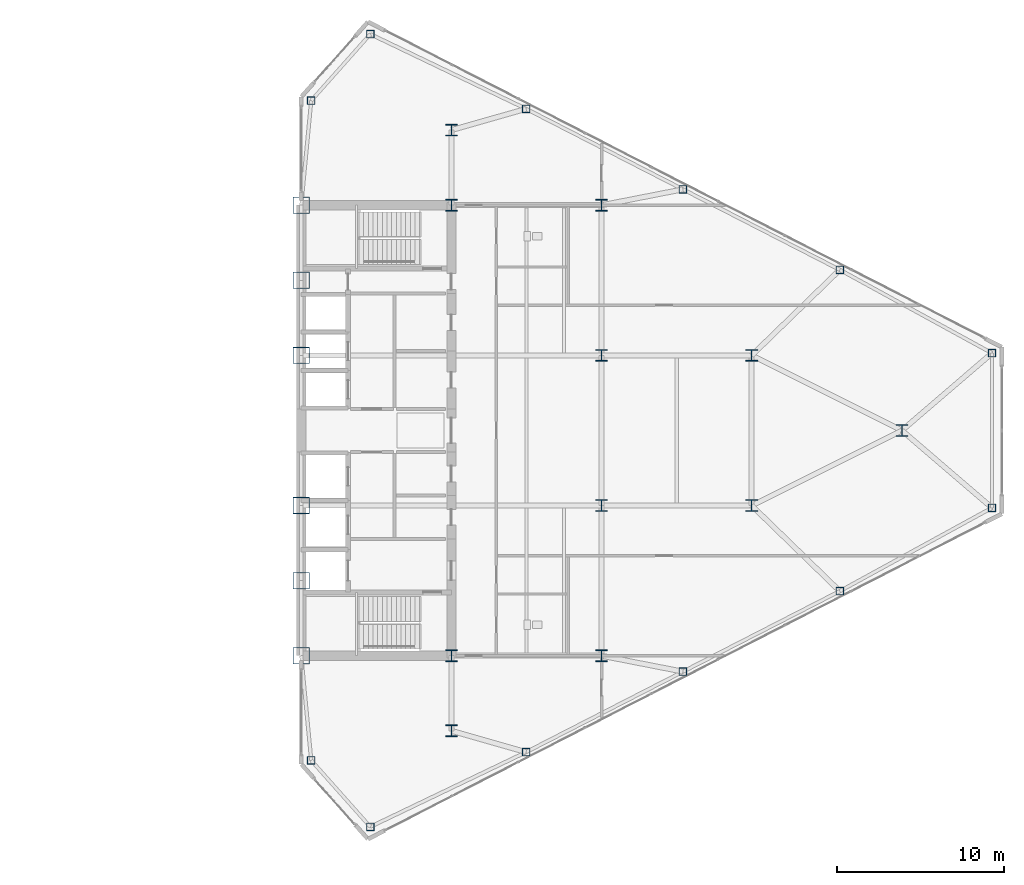
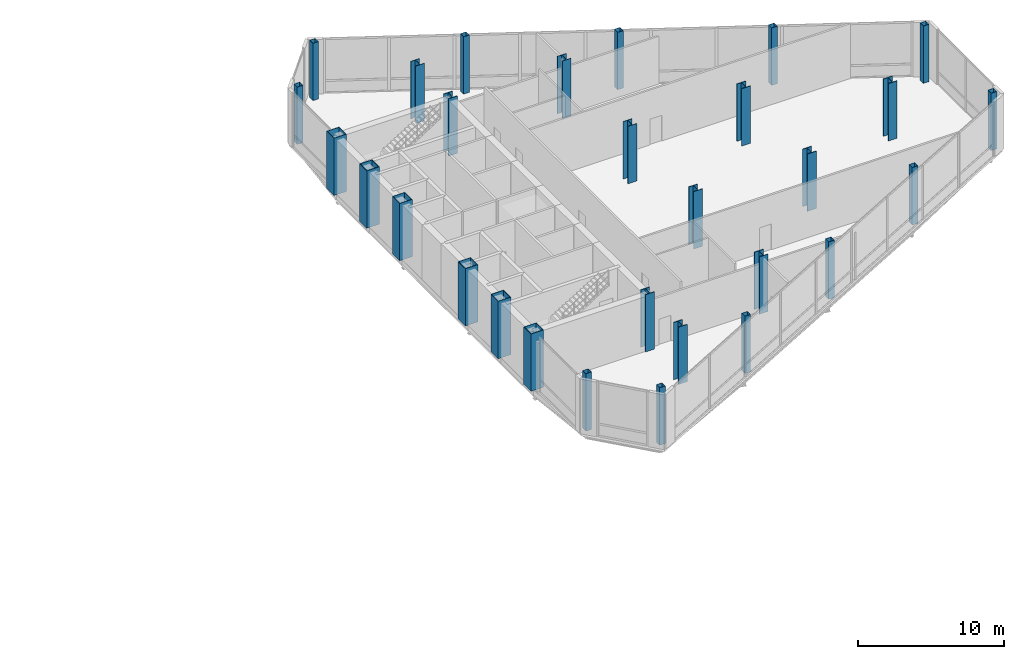
# One storey, part 2 of 22: 29 columns.
"""IFC4 building model written with IfcOpenShell, lengths in metres."""

import ifcopenshell
import ifcopenshell.guid

model = None  # the IFC model being written
_history = None  # IfcOwnerHistory: only IFC2X3 demands one
_inside = {}  # id of a spatial element -> (the spatial element, [elements in it])
_under = {}  # id of a project, library or spatial element -> (it, [spatial elements below it])
_declared = {}  # id of a project -> (the project, [libraries it declares])
_typed = {}  # id of a type object -> (the type object, [elements of that type])
_made_of = {}  # id of a material, layer set ... -> (it, [elements and type objects made of it])


def new_model(schema):
    """Start an empty IFC model of exactly this schema.

    Asked for "IFC4X3", IfcOpenShell would pick the latest addendum, in which some entities
    have other attributes; the version numbers below select the first issue.
    IFC2X3 requires an IfcOwnerHistory on every rooted entity: one is made here for all.
    """
    global model, _history
    if schema == "IFC4X3":
        model = ifcopenshell.file(schema_version=(4, 3, 0, 0))
    else:
        model = ifcopenshell.file(schema=schema)
    _inside.clear()
    _under.clear()
    _declared.clear()
    _typed.clear()
    _made_of.clear()
    _history = None
    if model.schema == "IFC2X3":
        org = make("IfcOrganization", Name="unknown")
        user = make(
            "IfcPersonAndOrganization",
            ThePerson=make("IfcPerson", FamilyName="unknown"),
            TheOrganization=org,
        )
        app = make(
            "IfcApplication",
            ApplicationDeveloper=org,
            Version="unknown",
            ApplicationFullName="unknown",
            ApplicationIdentifier="unknown",
        )
        _history = make(
            "IfcOwnerHistory",
            OwningUser=user,
            OwningApplication=app,
            ChangeAction="ADDED",
            CreationDate=0,
        )
    return model


def make(cls, **values):
    """One entity of the class cls with the attributes given. An attribute that is None is left unset."""
    return model.create_entity(
        cls, **{name: value for name, value in values.items() if value is not None}
    )


def rooted(cls, **values):
    """An entity with a GlobalId (a new one), such as an element, a storey or a relation."""
    return make(cls, GlobalId=ifcopenshell.guid.new(), OwnerHistory=_history, **values)


def si_unit(unit_type, name, prefix=None):
    """IfcSIUnit, for example si_unit("LENGTHUNIT", "METRE", prefix="MILLI")."""
    return make("IfcSIUnit", UnitType=unit_type, Prefix=prefix, Name=name)


def assignment(units):
    """IfcUnitAssignment: the units of a project."""
    return None if units is None else make("IfcUnitAssignment", Units=units)


def point(xyz):
    """IfcCartesianPoint."""
    return None if xyz is None else make("IfcCartesianPoint", Coordinates=xyz)


def direction(xyz):
    """IfcDirection."""
    return None if xyz is None else make("IfcDirection", DirectionRatios=xyz)


def frame(location, z_axis=None, x_axis=None):
    """IfcAxis2Placement3D, a coordinate frame: its origin and axes. An axis left out is left unset."""
    return make(
        "IfcAxis2Placement3D",
        Location=point(location),
        Axis=direction(z_axis),
        RefDirection=direction(x_axis),
    )


def frame_2d(location, x_axis=None):
    """IfcAxis2Placement2D, a coordinate frame in the plane: its origin and x axis."""
    return make(
        "IfcAxis2Placement2D", Location=point(location), RefDirection=direction(x_axis)
    )


def origin():
    """The frame at (0, 0, 0) with its axes left unset."""
    return frame((0.0, 0.0, 0.0))


def origin_2d():
    """The frame at (0, 0) in the plane with its x axis left unset."""
    return frame_2d((0.0, 0.0))


def place(relative_to, where):
    """IfcLocalPlacement: puts the frame where relative to a parent placement (None: the world)."""
    return make(
        "IfcLocalPlacement", PlacementRelTo=relative_to, RelativePlacement=where
    )


def context(
    kind, dimensions, precision=None, world=None, true_north=None, identifier=None
):
    """IfcGeometricRepresentationContext, for example the 3D "Model" context."""
    return make(
        "IfcGeometricRepresentationContext",
        ContextIdentifier=identifier,
        ContextType=kind,
        CoordinateSpaceDimension=dimensions,
        Precision=precision,
        WorldCoordinateSystem=world,
        TrueNorth=true_north,
    )


def subcontext(parent, identifier, kind, view, scale=None):
    """IfcGeometricRepresentationSubContext, for example "Body" below "Model"."""
    return make(
        "IfcGeometricRepresentationSubContext",
        ContextIdentifier=identifier,
        ContextType=kind,
        ParentContext=parent,
        TargetScale=scale,
        TargetView=view,
    )


def project(units=None, contexts=None):
    """IfcProject with its units and contexts."""
    return rooted(
        "IfcProject",
        Name="project",
        RepresentationContexts=contexts,
        UnitsInContext=assignment(units),
    )


def spatial(cls, under=None, at=None, **own):
    """A site, building, storey or space (cls), placed at a placement, below another one or the project."""
    s = rooted(cls, ObjectPlacement=at, **own)
    if under is not None:
        _under.setdefault(under.id(), (under, []))[1].append(s)
    return s


def profile(cls, at=None, kind="AREA", **sizes):
    """A parametric profile (cls). Its sizes go by their IFC names, for example OverallWidth=200.0."""
    return make(cls, ProfileType=kind, Position=at, **sizes)


def hollow_rectangle(**sizes):
    """IfcRectangleHollowProfileDef."""
    return profile("IfcRectangleHollowProfileDef", **sizes)


def i_section(**sizes):
    """IfcIShapeProfileDef."""
    return profile("IfcIShapeProfileDef", **sizes)


def extrude(swept, where, along, depth):
    """IfcExtrudedAreaSolid: the profile swept, set in the frame where, extruded along a direction by depth."""
    return make(
        "IfcExtrudedAreaSolid",
        SweptArea=swept,
        Position=where,
        ExtrudedDirection=direction(along),
        Depth=depth,
    )


def shape(context_of_items, identifier, shape_type, items):
    """IfcShapeRepresentation: the items that make up one representation, for example the "Body"."""
    return make(
        "IfcShapeRepresentation",
        ContextOfItems=context_of_items,
        RepresentationIdentifier=identifier,
        RepresentationType=shape_type,
        Items=items,
    )


def source(mapping_origin, context_of_items, identifier, shape_type, items):
    """IfcRepresentationMap: a shape defined once, which mapped items show again and again."""
    return make(
        "IfcRepresentationMap",
        MappingOrigin=mapping_origin,
        MappedRepresentation=shape(context_of_items, identifier, shape_type, items),
    )


def transform(
    local_origin,
    x_axis=None,
    y_axis=None,
    z_axis=None,
    scale=None,
    scale2=None,
    scale3=None,
    uniform=True,
):
    """IfcCartesianTransformationOperator3D, or its non-uniform kind. x_axis, y_axis, z_axis: its Axis1, 2, 3."""
    if uniform:
        return make(
            "IfcCartesianTransformationOperator3D",
            Axis1=direction(x_axis),
            Axis2=direction(y_axis),
            LocalOrigin=point(local_origin),
            Scale=scale,
            Axis3=direction(z_axis),
        )
    return make(
        "IfcCartesianTransformationOperator3DnonUniform",
        Axis1=direction(x_axis),
        Axis2=direction(y_axis),
        LocalOrigin=point(local_origin),
        Scale=scale,
        Axis3=direction(z_axis),
        Scale2=scale2,
        Scale3=scale3,
    )


def mapped(mapping_source, mapping_target):
    """IfcMappedItem: shows the shape of a source again, moved by a transform."""
    return make(
        "IfcMappedItem", MappingSource=mapping_source, MappingTarget=mapping_target
    )


def material(Name=None, Category=None):
    """IfcMaterial."""
    return make("IfcMaterial", Name=Name, Category=Category)


def material_profile(
    of_material, cross_section, Name=None, Category=None, Priority=None
):
    """IfcMaterialProfile: a cross section and its material."""
    return make(
        "IfcMaterialProfile",
        Name=Name,
        Material=of_material,
        Profile=cross_section,
        Priority=Priority,
        Category=Category,
    )


def profile_set(profiles, Name=None, composite=None):
    """IfcMaterialProfileSet."""
    return make(
        "IfcMaterialProfileSet",
        Name=Name,
        MaterialProfiles=profiles,
        CompositeProfile=composite,
    )


def made_of(thing, what):
    """Note that an element or type object is made of a material, layer set ...; save() writes the relation."""
    if what is not None:
        _made_of.setdefault(what.id(), (what, []))[1].append(thing)
    return thing


def type_object(cls, material=None, **own):
    """A type object (cls), such as IfcWallType, which elements share."""
    return made_of(rooted(cls, **own), material)


def type_shapes(of_type, sources):
    """Give a type object the sources (RepresentationMaps) that its elements show as mapped items."""
    of_type.RepresentationMaps = sources


def element(
    cls,
    number,
    at=None,
    inside=None,
    cuts=None,
    type_object=None,
    material=None,
    context=None,
    identifier="Body",
    shape_type=None,
    held_by="IfcProductDefinitionShape",
    body=None,
    shapes=None,
    **own,
):
    """One element of the class cls, such as IfcWall. Its Tag is "e" and its number.

    at: its placement. inside: the storey or other place that contains it. cuts: it is an
    opening in that element (IfcRelVoidsElement). A single representation is given by context,
    identifier, shape_type and body (its items); several are given by shapes. held_by: the class
    of the entity that holds the representations. save() writes the other relations.
    """
    e = rooted(cls, Tag="e%d" % number, ObjectPlacement=at, **own)
    if body is not None:
        shapes = [shape(context, identifier, shape_type, body)]
    if shapes is not None:
        e.Representation = make(held_by, Representations=shapes)
    if inside is not None:
        _inside.setdefault(inside.id(), (inside, []))[1].append(e)
    if cuts is not None:
        rooted(
            "IfcRelVoidsElement", RelatingBuildingElement=cuts, RelatedOpeningElement=e
        )
    if type_object is not None:
        _typed.setdefault(type_object.id(), (type_object, []))[1].append(e)
    return made_of(e, material)


def aggregate(whole, parts):
    """IfcRelAggregates: a whole, such as a stair, and the parts it consists of."""
    return rooted("IfcRelAggregates", RelatingObject=whole, RelatedObjects=parts)


def save(model, path):
    """Write the relations noted so far, then the file.

    IfcRelAggregates (storeys below a building ...), IfcRelContainedInSpatialStructure (elements
    in a storey), IfcRelDefinesByType, IfcRelAssociatesMaterial and IfcRelDeclares: one each for
    every whole, place, type object, material and project.
    """
    for whole, parts in _under.values():
        aggregate(whole, parts)
    for where, things in _inside.values():
        rooted(
            "IfcRelContainedInSpatialStructure",
            RelatedElements=things,
            RelatingStructure=where,
        )
    for kind, things in _typed.values():
        rooted("IfcRelDefinesByType", RelatedObjects=things, RelatingType=kind)
    for what, things in _made_of.values():
        rooted("IfcRelAssociatesMaterial", RelatedObjects=things, RelatingMaterial=what)
    for by, libraries in _declared.values():
        rooted("IfcRelDeclares", RelatingContext=by, RelatedDefinitions=libraries)
    model.write(path)


model = new_model("IFC4")

# Units and contexts
model_context = context("Model", 3, precision=1e-05, world=origin(), true_north=direction((0.0, 1.0)))
body_context = subcontext(model_context, "Body", "Model", "MODEL_VIEW")
ifc_project = project(units=[si_unit("LENGTHUNIT", "METRE"), si_unit("AREAUNIT", "SQUARE_METRE"), si_unit("VOLUMEUNIT", "CUBIC_METRE"), si_unit("PLANEANGLEUNIT", "RADIAN"), si_unit("MASSUNIT", "GRAM", prefix="KILO")], contexts=[model_context])

# Site, building, storey
site_placement = place(None, origin())
site = spatial("IfcSite", under=ifc_project, at=site_placement, CompositionType="ELEMENT")
building_placement = place(site_placement, origin())
building = spatial("IfcBuilding", under=site, at=building_placement, Name="Seokmaru Belvedere", CompositionType="ELEMENT")
storey_placement = place(building_placement, frame((0.0, 0.0, 135.60009765625)))
storey = spatial("IfcBuildingStorey", under=building, at=storey_placement, Name="L36", CompositionType="ELEMENT", Elevation=135.60009765625)

# Columns
ifc_material_1 = material(Name="Steel HSA650 (650 MPa)", Category="steel")
ifc_material_profile_1 = material_profile(ifc_material_1, hollow_rectangle(XDim=1.0, YDim=1.0, WallThickness=0.0419921875, at=origin_2d()), Name="BOX-1000x1000x42")
ifc_profile_set_1 = profile_set([ifc_material_profile_1], Name="Steel HSA650 (650 MPa)")
column_type_1 = type_object("IfcColumnType", Name="Portal Spine Column BOX-1000", PredefinedType="COLUMN", material=ifc_profile_set_1)
shared_shape_1 = source(origin(), body_context, "Body", "SweptSolid", [
    extrude(hollow_rectangle(XDim=1.0, YDim=1.0, WallThickness=0.0419921875, at=origin_2d()), origin(), (0.0, 0.0, 1.0), 4.7998046875),
])
type_shapes(column_type_1, [shared_shape_1])
for number, where, z_axis, x_axis, name in (
    (1, (27.5, -13.5, 0.0), (0.0, 0.0, 1.0), (1.0, 0.0, 0.0), "L36 Column ES1"),
    (2, (27.5, -9.0, 0.0), (0.0, 0.0, 1.0), (1.0, 0.0, 0.0), "L36 Column ES2"),
    (3, (27.5, -4.5, 0.0), (0.0, 0.0, 1.0), (1.0, 0.0, 0.0), "L36 Column ES3"),
    (4, (27.5, 4.5, 0.0), (0.0, 0.0, 1.0), (1.0, 0.0, 0.0), "L36 Column ES4"),
    (5, (27.5, 9.0, 0.0), (0.0, 0.0, 1.0), (1.0, 0.0, 0.0), "L36 Column ES5"),
    (6, (27.5, 13.5, 0.0), (0.0, 0.0, 1.0), (1.0, 0.0, 0.0), "L36 Column ES6"),
):
    element("IfcColumn", number, at=place(storey_placement, frame(where, z_axis=z_axis, x_axis=x_axis)), inside=storey, type_object=column_type_1, Name=name, PredefinedType="COLUMN", context=body_context, shape_type="MappedRepresentation", body=[
        mapped(shared_shape_1, transform((0.0, 0.0, 0.0), scale=1.0)),
    ])
ifc_material_2 = material(Name="Steel SM355 (355 MPa)", Category="steel")
ifc_material_profile_2 = material_profile(ifc_material_2, i_section(OverallWidth=0.699951171875, OverallDepth=0.699951171875, WebThickness=0.028076171875, FlangeThickness=0.044921875, at=origin_2d()), Name="H-700x700x28x45")
ifc_profile_set_2 = profile_set([ifc_material_profile_2], Name="Steel SM355 (355 MPa)")
column_type_2 = type_object("IfcColumnType", Name="Mid Interior Column H-700", PredefinedType="COLUMN", material=ifc_profile_set_2)
shared_shape_2 = source(origin(), body_context, "Body", "SweptSolid", [
    extrude(i_section(OverallWidth=0.699951171875, OverallDepth=0.699951171875, WebThickness=0.028076171875, FlangeThickness=0.044921875, at=origin_2d()), origin(), (0.0, 0.0, 1.0), 4.7998046875),
])
type_shapes(column_type_2, [shared_shape_2])
for number, where, z_axis, x_axis, name in (
    (7, (36.5, -18.0, 0.0), (0.0, 0.0, 1.0), (1.0, 0.0, 0.0), "L36 Column EC1"),
    (8, (36.5, -13.5, 0.0), (0.0, 0.0, 1.0), (1.0, 0.0, 0.0), "L36 Column EC2"),
    (9, (36.5, 13.5, 0.0), (0.0, 0.0, 1.0), (1.0, 0.0, 0.0), "L36 Column EC3"),
    (10, (36.5, 18.0, 0.0), (0.0, 0.0, 1.0), (1.0, 0.0, 0.0), "L36 Column EC4"),
    (11, (45.5, -13.5, 0.0), (0.0, 0.0, 1.0), (1.0, 0.0, 0.0), "L36 Column EG5_1"),
    (12, (45.5, -4.5, 0.0), (0.0, 0.0, 1.0), (1.0, 0.0, 0.0), "L36 Column EG5_2"),
    (13, (45.5, 4.5, 0.0), (0.0, 0.0, 1.0), (1.0, 0.0, 0.0), "L36 Column EG5_3"),
    (14, (45.5, 13.5, 0.0), (0.0, 0.0, 1.0), (1.0, 0.0, 0.0), "L36 Column EG5_4"),
    (15, (54.5, -4.5, 0.0), (0.0, 0.0, 1.0), (1.0, 0.0, 0.0), "L36 Column EG4P_1"),
    (16, (54.5, 4.5, 0.0), (0.0, 0.0, 1.0), (1.0, 0.0, 0.0), "L36 Column EG4P_2"),
    (17, (63.5, 0.0, 0.0), (0.0, 0.0, 1.0), (1.0, 0.0, 0.0), "L36 Column EG3P_1"),
):
    element("IfcColumn", number, at=place(storey_placement, frame(where, z_axis=z_axis, x_axis=x_axis)), inside=storey, type_object=column_type_2, Name=name, PredefinedType="COLUMN", context=body_context, shape_type="MappedRepresentation", body=[
        mapped(shared_shape_2, transform((0.0, 0.0, 0.0), scale=1.0)),
    ])
ifc_material_profile_3 = material_profile(ifc_material_2, hollow_rectangle(XDim=0.449951171875, YDim=0.449951171875, WallThickness=0.01806640625, at=origin_2d()), Name="HSS-450x450x18")
ifc_profile_set_3 = profile_set([ifc_material_profile_3], Name="Steel SM355 (355 MPa)")
column_type_3 = type_object("IfcColumnType", Name="Perimeter Facet Column HSS-450", PredefinedType="COLUMN", material=ifc_profile_set_3)
shared_shape_3 = source(origin(), body_context, "Body", "SweptSolid", [
    extrude(hollow_rectangle(XDim=0.449951171875, YDim=0.449951171875, WallThickness=0.01806640625, at=origin_2d()), origin(), (0.0, 0.0, 1.0), 4.7998046875),
])
type_shapes(column_type_3, [shared_shape_3])
for number, where, z_axis, x_axis, name in (
    (18, (31.6396484375, -23.75390625, 0.0), (0.0, 0.0, 1.0), (1.0, 0.0, 0.0), "L36 Column EF1"),
    (19, (68.89990234375, -4.633544921875, 0.0), (0.0, 0.0, 1.0), (1.0, 0.0, 0.0), "L36 Column EF2"),
    (20, (68.89990234375, 4.633544921875, 0.0), (0.0, 0.0, 1.0), (1.0, 0.0, 0.0), "L36 Column EF3"),
    (21, (31.6396484375, 23.75390625, 0.0), (0.0, 0.0, 1.0), (1.0, 0.0, 0.0), "L36 Column EF4"),
    (22, (28.10009765625, 19.77197265625, 0.0), (0.0, 0.0, 1.0), (1.0, 0.0, 0.0), "L36 Column EF5"),
    (23, (28.10009765625, -19.77197265625, 0.0), (0.0, 0.0, 1.0), (1.0, 0.0, 0.0), "L36 Column EF6"),
    (24, (40.975830078125, -19.277587890625, 0.0), (0.0, 0.0, 1.0), (1.0, 0.0, 0.0), "L36 Column EFLK_S1"),
    (25, (50.377197265625, -14.453369140625, 0.0), (0.0, 0.0, 1.0), (1.0, 0.0, 0.0), "L36 Column EFLK_S2"),
    (26, (59.778564453125, -9.62890625, 0.0), (0.0, 0.0, 1.0), (1.0, 0.0, 0.0), "L36 Column EFLK_S3"),
    (27, (40.975830078125, 19.277587890625, 0.0), (0.0, 0.0, 1.0), (1.0, 0.0, 0.0), "L36 Column EFLK_N1"),
    (28, (50.377197265625, 14.453369140625, 0.0), (0.0, 0.0, 1.0), (1.0, 0.0, 0.0), "L36 Column EFLK_N2"),
    (29, (59.778564453125, 9.62890625, 0.0), (0.0, 0.0, 1.0), (1.0, 0.0, 0.0), "L36 Column EFLK_N3"),
):
    element("IfcColumn", number, at=place(storey_placement, frame(where, z_axis=z_axis, x_axis=x_axis)), inside=storey, type_object=column_type_3, Name=name, PredefinedType="COLUMN", context=body_context, shape_type="MappedRepresentation", body=[
        mapped(shared_shape_3, transform((0.0, 0.0, 0.0), scale=1.0)),
    ])

save(model, "model.ifc")
